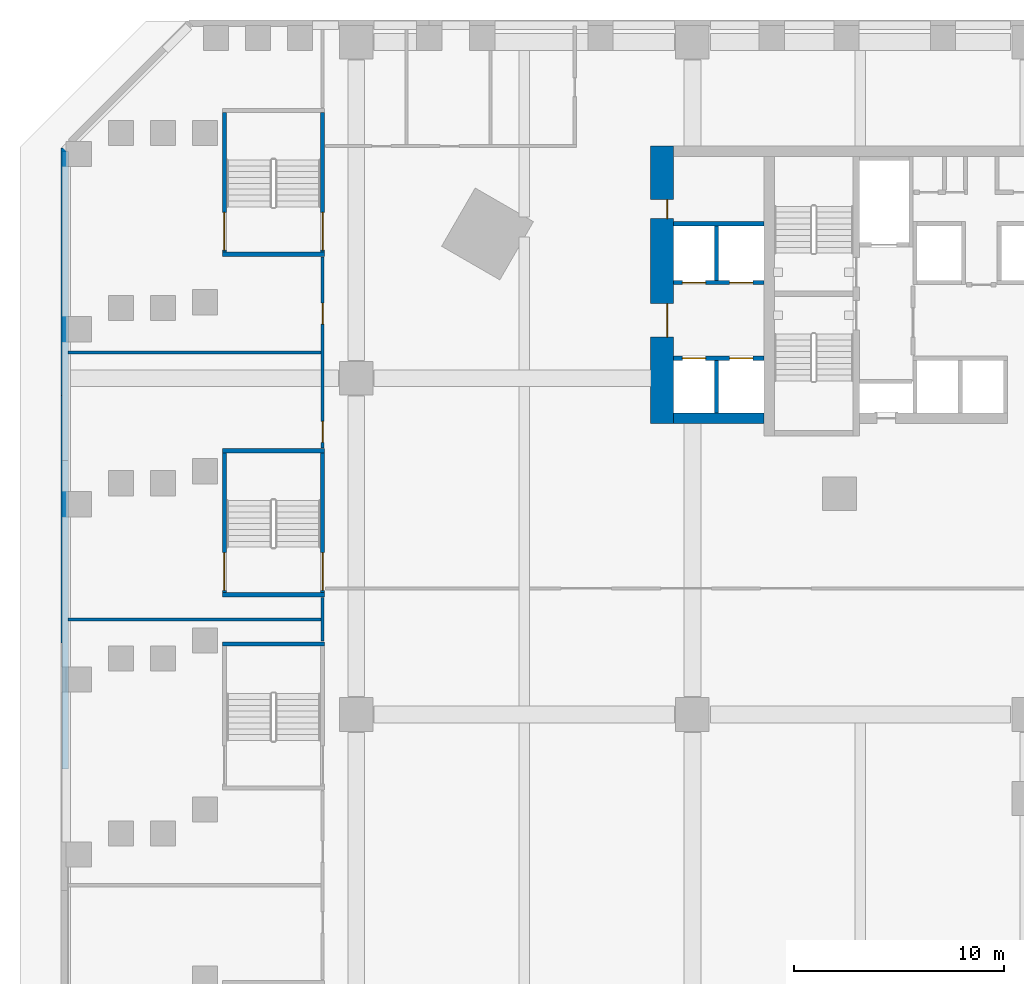
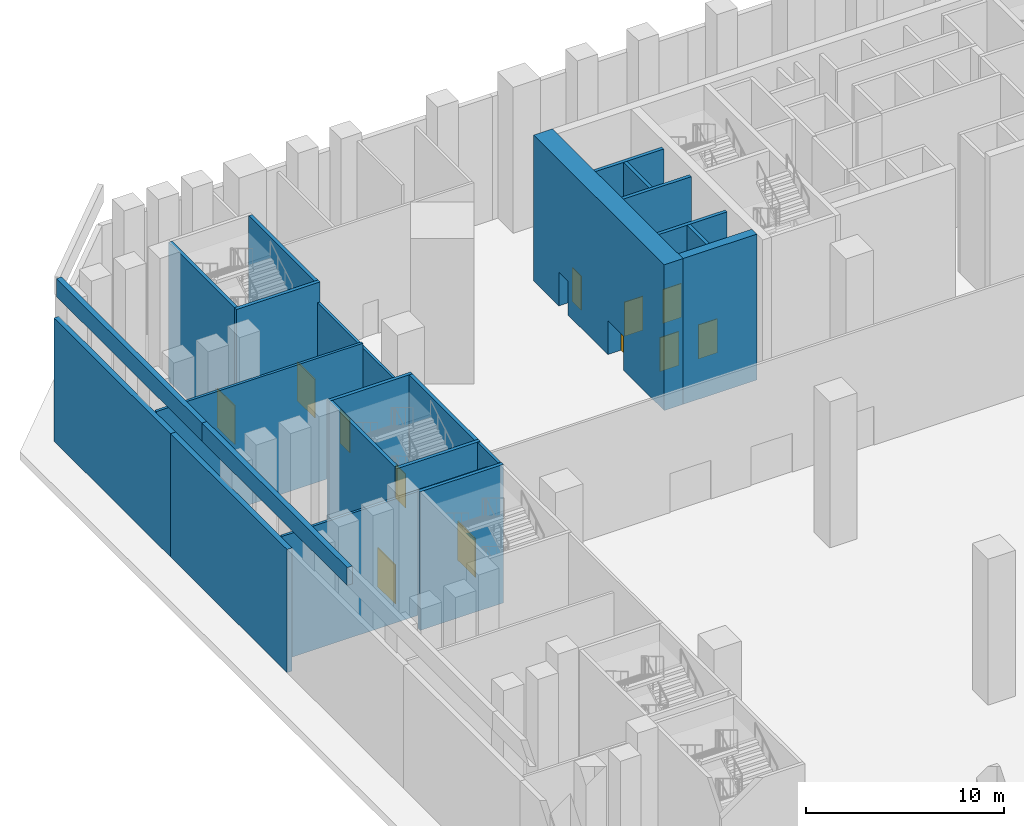
# One storey, part 6 of 25: 23 walls, 12 doors, 12 openings.
"""IFC4 building model written with IfcOpenShell, lengths in metres."""

import ifcopenshell
import ifcopenshell.guid

model = None  # the IFC model being written
_history = None  # IfcOwnerHistory: only IFC2X3 demands one
_inside = {}  # id of a spatial element -> (the spatial element, [elements in it])
_under = {}  # id of a project, library or spatial element -> (it, [spatial elements below it])
_declared = {}  # id of a project -> (the project, [libraries it declares])
_typed = {}  # id of a type object -> (the type object, [elements of that type])
_made_of = {}  # id of a material, layer set ... -> (it, [elements and type objects made of it])


def new_model(schema):
    """Start an empty IFC model of exactly this schema.

    Asked for "IFC4X3", IfcOpenShell would pick the latest addendum, in which some entities
    have other attributes; the version numbers below select the first issue.
    IFC2X3 requires an IfcOwnerHistory on every rooted entity: one is made here for all.
    """
    global model, _history
    if schema == "IFC4X3":
        model = ifcopenshell.file(schema_version=(4, 3, 0, 0))
    else:
        model = ifcopenshell.file(schema=schema)
    _inside.clear()
    _under.clear()
    _declared.clear()
    _typed.clear()
    _made_of.clear()
    _history = None
    if model.schema == "IFC2X3":
        org = make("IfcOrganization", Name="unknown")
        user = make(
            "IfcPersonAndOrganization",
            ThePerson=make("IfcPerson", FamilyName="unknown"),
            TheOrganization=org,
        )
        app = make(
            "IfcApplication",
            ApplicationDeveloper=org,
            Version="unknown",
            ApplicationFullName="unknown",
            ApplicationIdentifier="unknown",
        )
        _history = make(
            "IfcOwnerHistory",
            OwningUser=user,
            OwningApplication=app,
            ChangeAction="ADDED",
            CreationDate=0,
        )
    return model


def make(cls, **values):
    """One entity of the class cls with the attributes given. An attribute that is None is left unset."""
    return model.create_entity(
        cls, **{name: value for name, value in values.items() if value is not None}
    )


def rooted(cls, **values):
    """An entity with a GlobalId (a new one), such as an element, a storey or a relation."""
    return make(cls, GlobalId=ifcopenshell.guid.new(), OwnerHistory=_history, **values)


def si_unit(unit_type, name, prefix=None):
    """IfcSIUnit, for example si_unit("LENGTHUNIT", "METRE", prefix="MILLI")."""
    return make("IfcSIUnit", UnitType=unit_type, Prefix=prefix, Name=name)


def assignment(units):
    """IfcUnitAssignment: the units of a project."""
    return None if units is None else make("IfcUnitAssignment", Units=units)


def point(xyz):
    """IfcCartesianPoint."""
    return None if xyz is None else make("IfcCartesianPoint", Coordinates=xyz)


def direction(xyz):
    """IfcDirection."""
    return None if xyz is None else make("IfcDirection", DirectionRatios=xyz)


def frame(location, z_axis=None, x_axis=None):
    """IfcAxis2Placement3D, a coordinate frame: its origin and axes. An axis left out is left unset."""
    return make(
        "IfcAxis2Placement3D",
        Location=point(location),
        Axis=direction(z_axis),
        RefDirection=direction(x_axis),
    )


def frame_2d(location, x_axis=None):
    """IfcAxis2Placement2D, a coordinate frame in the plane: its origin and x axis."""
    return make(
        "IfcAxis2Placement2D", Location=point(location), RefDirection=direction(x_axis)
    )


def origin():
    """The frame at (0, 0, 0) with its axes left unset."""
    return frame((0.0, 0.0, 0.0))


def place(relative_to, where):
    """IfcLocalPlacement: puts the frame where relative to a parent placement (None: the world)."""
    return make(
        "IfcLocalPlacement", PlacementRelTo=relative_to, RelativePlacement=where
    )


def context(
    kind, dimensions, precision=None, world=None, true_north=None, identifier=None
):
    """IfcGeometricRepresentationContext, for example the 3D "Model" context."""
    return make(
        "IfcGeometricRepresentationContext",
        ContextIdentifier=identifier,
        ContextType=kind,
        CoordinateSpaceDimension=dimensions,
        Precision=precision,
        WorldCoordinateSystem=world,
        TrueNorth=true_north,
    )


def subcontext(parent, identifier, kind, view, scale=None):
    """IfcGeometricRepresentationSubContext, for example "Body" below "Model"."""
    return make(
        "IfcGeometricRepresentationSubContext",
        ContextIdentifier=identifier,
        ContextType=kind,
        ParentContext=parent,
        TargetScale=scale,
        TargetView=view,
    )


def project(units=None, contexts=None):
    """IfcProject with its units and contexts."""
    return rooted(
        "IfcProject",
        Name="project",
        RepresentationContexts=contexts,
        UnitsInContext=assignment(units),
    )


def spatial(cls, under=None, at=None, **own):
    """A site, building, storey or space (cls), placed at a placement, below another one or the project."""
    s = rooted(cls, ObjectPlacement=at, **own)
    if under is not None:
        _under.setdefault(under.id(), (under, []))[1].append(s)
    return s


def profile(cls, at=None, kind="AREA", **sizes):
    """A parametric profile (cls). Its sizes go by their IFC names, for example OverallWidth=200.0."""
    return make(cls, ProfileType=kind, Position=at, **sizes)


def rectangle(**sizes):
    """IfcRectangleProfileDef."""
    return profile("IfcRectangleProfileDef", **sizes)


def extrude(swept, where, along, depth):
    """IfcExtrudedAreaSolid: the profile swept, set in the frame where, extruded along a direction by depth."""
    return make(
        "IfcExtrudedAreaSolid",
        SweptArea=swept,
        Position=where,
        ExtrudedDirection=direction(along),
        Depth=depth,
    )


def shape(context_of_items, identifier, shape_type, items):
    """IfcShapeRepresentation: the items that make up one representation, for example the "Body"."""
    return make(
        "IfcShapeRepresentation",
        ContextOfItems=context_of_items,
        RepresentationIdentifier=identifier,
        RepresentationType=shape_type,
        Items=items,
    )


def material(Name=None, Category=None):
    """IfcMaterial."""
    return make("IfcMaterial", Name=Name, Category=Category)


def layer(
    of_material, thickness, ventilated=None, Name=None, Category=None, Priority=None
):
    """IfcMaterialLayer: one layer of a wall or slab, of a material (None: an air gap)."""
    return make(
        "IfcMaterialLayer",
        Material=of_material,
        LayerThickness=thickness,
        IsVentilated=ventilated,
        Name=Name,
        Category=Category,
        Priority=Priority,
    )


def layer_set(layers, Name=None):
    """IfcMaterialLayerSet."""
    return make("IfcMaterialLayerSet", MaterialLayers=layers, LayerSetName=Name)


def made_of(thing, what):
    """Note that an element or type object is made of a material, layer set ...; save() writes the relation."""
    if what is not None:
        _made_of.setdefault(what.id(), (what, []))[1].append(thing)
    return thing


def type_object(cls, material=None, **own):
    """A type object (cls), such as IfcWallType, which elements share."""
    return made_of(rooted(cls, **own), material)


def element(
    cls,
    number,
    at=None,
    inside=None,
    cuts=None,
    type_object=None,
    material=None,
    context=None,
    identifier="Body",
    shape_type=None,
    held_by="IfcProductDefinitionShape",
    body=None,
    shapes=None,
    **own,
):
    """One element of the class cls, such as IfcWall. Its Tag is "e" and its number.

    at: its placement. inside: the storey or other place that contains it. cuts: it is an
    opening in that element (IfcRelVoidsElement). A single representation is given by context,
    identifier, shape_type and body (its items); several are given by shapes. held_by: the class
    of the entity that holds the representations. save() writes the other relations.
    """
    e = rooted(cls, Tag="e%d" % number, ObjectPlacement=at, **own)
    if body is not None:
        shapes = [shape(context, identifier, shape_type, body)]
    if shapes is not None:
        e.Representation = make(held_by, Representations=shapes)
    if inside is not None:
        _inside.setdefault(inside.id(), (inside, []))[1].append(e)
    if cuts is not None:
        rooted(
            "IfcRelVoidsElement", RelatingBuildingElement=cuts, RelatedOpeningElement=e
        )
    if type_object is not None:
        _typed.setdefault(type_object.id(), (type_object, []))[1].append(e)
    return made_of(e, material)


def fill(opening, filler):
    """IfcRelFillsElement: the door or window that sits in an opening."""
    return rooted(
        "IfcRelFillsElement",
        RelatingOpeningElement=opening,
        RelatedBuildingElement=filler,
    )


def aggregate(whole, parts):
    """IfcRelAggregates: a whole, such as a stair, and the parts it consists of."""
    return rooted("IfcRelAggregates", RelatingObject=whole, RelatedObjects=parts)


def save(model, path):
    """Write the relations noted so far, then the file.

    IfcRelAggregates (storeys below a building ...), IfcRelContainedInSpatialStructure (elements
    in a storey), IfcRelDefinesByType, IfcRelAssociatesMaterial and IfcRelDeclares: one each for
    every whole, place, type object, material and project.
    """
    for whole, parts in _under.values():
        aggregate(whole, parts)
    for where, things in _inside.values():
        rooted(
            "IfcRelContainedInSpatialStructure",
            RelatedElements=things,
            RelatingStructure=where,
        )
    for kind, things in _typed.values():
        rooted("IfcRelDefinesByType", RelatedObjects=things, RelatingType=kind)
    for what, things in _made_of.values():
        rooted("IfcRelAssociatesMaterial", RelatedObjects=things, RelatingMaterial=what)
    for by, libraries in _declared.values():
        rooted("IfcRelDeclares", RelatingContext=by, RelatedDefinitions=libraries)
    model.write(path)


model = new_model("IFC4")

# Units and contexts
model_context = context("Model", 3, precision=1e-05, world=origin(), true_north=direction((0.0, 1.0)))
body_context = subcontext(model_context, "Body", "Model", "MODEL_VIEW")
ifc_project = project(units=[si_unit("LENGTHUNIT", "METRE"), si_unit("AREAUNIT", "SQUARE_METRE"), si_unit("VOLUMEUNIT", "CUBIC_METRE"), si_unit("PLANEANGLEUNIT", "RADIAN"), si_unit("MASSUNIT", "GRAM", prefix="KILO")], contexts=[model_context])

# Site, building, storey
site_placement = place(None, origin())
site = spatial("IfcSite", under=ifc_project, at=site_placement, CompositionType="ELEMENT")
building_placement = place(site_placement, origin())
building = spatial("IfcBuilding", under=site, at=building_placement, Name="Calabash Gate Tower", CompositionType="ELEMENT")
storey_placement = place(building_placement, frame((0.0, 0.0, 20.0)))
storey = spatial("IfcBuildingStorey", under=building, at=storey_placement, Name="L02", CompositionType="ELEMENT", Elevation=20.0)

# Wall, openings, doors
ifc_material_1 = material(Name="Concrete C80/95", Category="concrete")
ifc_layer_1 = layer(ifc_material_1, 1.10009765625)
ifc_layer_set_1 = layer_set([ifc_layer_1], Name="Core wall 1100 Concrete C80/95")
wall_type_1 = type_object("IfcWallType", Name="Core wall 1100 Concrete C80/95", PredefinedType="SHEAR", material=ifc_layer_set_1)
wall_1_placement = place(storey_placement, frame((-17.449951171875, 5.8525390625, 0.0), z_axis=(0.0, 0.0, 1.0), x_axis=(0.0, 1.0, 0.0)))
wall_1 = element("IfcWall", 1, at=wall_1_placement, inside=storey, type_object=wall_type_1, Name="Core wall Z0-ENDW L02", PredefinedType="SHEAR", context=body_context, shape_type="SweptSolid", body=[
    extrude(rectangle(XDim=13.199951171875, YDim=1.10009765625, at=frame_2d((6.60009765625, 0.0))), origin(), (0.0, 0.0, 1.0), 9.0),
])
opening_1_placement = place(wall_1_placement, frame((4.10009765625, 0.0, 0.0)))
opening_1 = element("IfcOpeningElement", 2, at=opening_1_placement, cuts=wall_1, Name="Opening L02-015", PredefinedType="OPENING", context=body_context, shape_type="SweptSolid", body=[
    extrude(rectangle(XDim=1.60009765625, YDim=2.10009765625, at=frame_2d((0.800048828125, 1.050048828125))), frame((0.0, 0.56005859375, 0.0), z_axis=(0.0, -1.0, 0.0), x_axis=(1.0, 0.0, 0.0)), (0.0, 0.0, 1.0), 1.1201171875),
])
opening_2_placement = place(wall_1_placement, frame((9.75, 0.0, 0.0)))
opening_2 = element("IfcOpeningElement", 3, at=opening_2_placement, cuts=wall_1, Name="Opening L02-016", PredefinedType="OPENING", context=body_context, shape_type="SweptSolid", body=[
    extrude(rectangle(XDim=0.89990234375, YDim=2.10009765625, at=frame_2d((0.449951171875, 1.050048828125))), frame((0.0, 0.56005859375, 0.0), z_axis=(0.0, -1.0, 0.0), x_axis=(1.0, 0.0, 0.0)), (0.0, 0.0, 1.0), 1.1201171875),
])
ifc_material_2 = material(Name="Steel fire door set with fire-resisting glazing", Category="steel")
door_type_1 = type_object("IfcDoorType", Name="Double fire door D08 1600x2100 FD60", OperationType="DOUBLE_DOOR_SINGLE_SWING", PredefinedType="DOOR", material=ifc_material_2)
door_1_placement = place(opening_1_placement, origin())
door_1 = element("IfcDoor", 4, at=door_1_placement, inside=storey, type_object=door_type_1, Name="Low-rise Lift Lobby W door", OperationType="DOUBLE_DOOR_SINGLE_SWING", OverallHeight=2.10009765625, OverallWidth=1.60009765625, PredefinedType="DOOR", context=body_context, shape_type="SweptSolid", body=[
    extrude(rectangle(XDim=1.60009765625, YDim=2.10009765625, at=frame_2d((0.800048828125, 1.050048828125))), frame((0.0, -0.22509765625, 0.0), z_axis=(0.0, -1.0, 0.0), x_axis=(1.0, 0.0, 0.0)), (0.0, 0.0, 1.0), 0.050048828125),
])
fill(opening_1, door_1)
ifc_material_3 = material(Name="Steel fire door set with fire-resisting glazing", Category="steel")
door_type_2 = type_object("IfcDoorType", Name="Fire door D06 900x2100 FD60", OperationType="NOTDEFINED", PredefinedType="DOOR", material=ifc_material_3)
door_2_placement = place(opening_2_placement, origin())
door_2 = element("IfcDoor", 5, at=door_2_placement, inside=storey, type_object=door_type_2, Name="Staff WC door", OperationType="SINGLE_SWING_RIGHT", OverallHeight=2.10009765625, OverallWidth=0.89990234375, PredefinedType="DOOR", context=body_context, shape_type="SweptSolid", body=[
    extrude(rectangle(XDim=0.89990234375, YDim=2.10009765625, at=frame_2d((0.449951171875, 1.050048828125))), frame((0.0, -0.22509765625, 0.0), z_axis=(0.0, -1.0, 0.0), x_axis=(1.0, 0.0, 0.0)), (0.0, 0.0, 1.0), 0.050048828125),
])
fill(opening_2, door_2)

# Walls
ifc_material_4 = material(Name="Concrete C80/95", Category="concrete")
ifc_layer_2 = layer(ifc_material_4, 0.5)
ifc_layer_set_2 = layer_set([ifc_layer_2], Name="Core wall 500 Concrete C80/95")
wall_type_2 = type_object("IfcWallType", Name="Core wall 500 Concrete C80/95", PredefinedType="SHEAR", material=ifc_layer_set_2)
wall_2_placement = place(storey_placement, frame((-12.60009765625, 6.1025390625, 0.0), z_axis=(0.0, 0.0, 1.0), x_axis=(-1.0, 0.0, 0.0)))
element("IfcWall", 6, at=wall_2_placement, inside=storey, type_object=wall_type_2, Name="Core wall Z0-SW L02", PredefinedType="SHEAR", context=body_context, shape_type="SweptSolid", body=[
    extrude(rectangle(XDim=4.2998046875, YDim=0.5, at=frame_2d((2.14990234375, 0.0))), origin(), (0.0, 0.0, 1.0), 9.0),
])
ifc_material_5 = material(Name="Gypsum board on steel studs, mineral wool", Category="steel")
ifc_layer_3 = layer(ifc_material_5, 0.14990234375)
ifc_layer_set_3 = layer_set([ifc_layer_3], Name="Partition 150 gypsum board")
wall_type_3 = type_object("IfcWallType", Name="Partition 150 gypsum board", PredefinedType="PARTITIONING", material=ifc_layer_set_3)
wall_3_placement = place(storey_placement, frame((-33.60009765625, -4.510009765625, 0.0), z_axis=(0.0, 0.0, 1.0), x_axis=(0.0, 1.0, 0.0)))
element("IfcWall", 7, at=wall_3_placement, inside=storey, type_object=wall_type_3, Name="Partition", PredefinedType="PARTITIONING", context=body_context, shape_type="SweptSolid", body=[
    extrude(rectangle(XDim=2.070068359375, YDim=0.14990234375, at=frame_2d((1.03515625, 0.0))), origin(), (0.0, 0.0, 1.0), 8.550048828125),
])
wall_4_placement = place(storey_placement, frame((-45.719970703125, -3.47509765625, 0.0), z_axis=(0.0, 0.0, 1.0), x_axis=(1.0, 0.0, 0.0)))
element("IfcWall", 8, at=wall_4_placement, inside=storey, type_object=wall_type_3, Name="Partition", PredefinedType="PARTITIONING", context=body_context, shape_type="SweptSolid", body=[
    extrude(rectangle(XDim=12.044921875, YDim=0.14990234375, at=frame_2d((6.0224609375, 0.0))), origin(), (0.0, 0.0, 1.0), 7.64990234375),
])

# Wall, openings, doors
wall_5_placement = place(storey_placement, frame((-33.60009765625, 4.68994140625, 0.0), z_axis=(0.0, 0.0, 1.0), x_axis=(0.0, 1.0, 0.0)))
wall_5 = element("IfcWall", 9, at=wall_5_placement, inside=storey, type_object=wall_type_3, Name="Partition", PredefinedType="PARTITIONING", context=body_context, shape_type="SweptSolid", body=[
    extrude(rectangle(XDim=9.070068359375, YDim=0.14990234375, at=frame_2d((4.53515625, 0.0))), origin(), (0.0, 0.0, 1.0), 7.35009765625),
])
opening_3_placement = place(wall_5_placement, frame((0.260986328125, 0.0, 0.0)))
opening_3 = element("IfcOpeningElement", 10, at=opening_3_placement, cuts=wall_5, Name="Opening L02-054", PredefinedType="OPENING", context=body_context, shape_type="SweptSolid", body=[
    extrude(rectangle(XDim=1.0, YDim=2.10009765625, at=frame_2d((0.5, 1.050048828125))), frame((0.0, 0.0849609375, 0.0), z_axis=(0.0, -1.0, 0.0), x_axis=(1.0, 0.0, 0.0)), (0.0, 0.0, 1.0), 0.169921875),
])
opening_4_placement = place(wall_5_placement, frame((5.885009765625, 0.0, 0.0)))
opening_4 = element("IfcOpeningElement", 11, at=opening_4_placement, cuts=wall_5, Name="Opening L02-055", PredefinedType="OPENING", context=body_context, shape_type="SweptSolid", body=[
    extrude(rectangle(XDim=1.0, YDim=2.10009765625, at=frame_2d((0.5, 1.050048828125))), frame((0.0, 0.0849609375, 0.0), z_axis=(0.0, -1.0, 0.0), x_axis=(1.0, 0.0, 0.0)), (0.0, 0.0, 1.0), 0.169921875),
])
ifc_material_6 = material(Name="Steel fire door set with fire-resisting glazing", Category="steel")
door_type_3 = type_object("IfcDoorType", Name="Fire door D11 1000x2100 FD60", OperationType="NOTDEFINED", PredefinedType="DOOR", material=ifc_material_6)
door_3_placement = place(opening_3_placement, origin())
door_3 = element("IfcDoor", 12, at=door_3_placement, inside=storey, type_object=door_type_3, Name="Bridal Suite door", OperationType="SINGLE_SWING_LEFT", OverallHeight=2.10009765625, OverallWidth=1.0, PredefinedType="DOOR", context=body_context, shape_type="SweptSolid", body=[
    extrude(rectangle(XDim=1.0, YDim=2.10009765625, at=frame_2d((0.5, 1.050048828125))), frame((0.0, 0.02490234375, 0.0), z_axis=(0.0, -1.0, 0.0), x_axis=(1.0, 0.0, 0.0)), (0.0, 0.0, 1.0), 0.050048828125),
])
fill(opening_3, door_3)
door_4_placement = place(opening_4_placement, origin())
door_4 = element("IfcDoor", 13, at=door_4_placement, inside=storey, type_object=door_type_3, Name="Chair Store door", OperationType="SINGLE_SWING_LEFT", OverallHeight=2.10009765625, OverallWidth=1.0, PredefinedType="DOOR", context=body_context, shape_type="SweptSolid", body=[
    extrude(rectangle(XDim=1.0, YDim=2.10009765625, at=frame_2d((0.5, 1.050048828125))), frame((0.0, 0.02490234375, 0.0), z_axis=(0.0, -1.0, 0.0), x_axis=(1.0, 0.0, 0.0)), (0.0, 0.0, 1.0), 0.050048828125),
])
fill(opening_4, door_4)

# Walls
wall_6_placement = place(storey_placement, frame((-45.719970703125, 9.22509765625, 0.0), z_axis=(0.0, 0.0, 1.0), x_axis=(1.0, 0.0, 0.0)))
element("IfcWall", 14, at=wall_6_placement, inside=storey, type_object=wall_type_3, Name="Partition", PredefinedType="PARTITIONING", context=body_context, shape_type="SweptSolid", body=[
    extrude(rectangle(XDim=12.044921875, YDim=0.14990234375, at=frame_2d((6.0224609375, 0.0))), origin(), (0.0, 0.0, 1.0), 7.64990234375),
])
ifc_material_7 = material(Name="Terracotta brick masonry, exposed face", Category="masonry")
ifc_layer_4 = layer(ifc_material_7, 0.300048828125)
ifc_layer_set_4 = layer_set([ifc_layer_4], Name="Podium brick wall 300")
wall_type_4 = type_object("IfcWallType", Name="Podium brick wall 300", PredefinedType="SOLIDWALL", material=ifc_layer_set_4)
for number, where, z_axis, x_axis, name in (
    (15, (-45.89990234375, 18.949951171875, 0.0), (0.0, 0.0, 1.0), (0.0, -1.0, 0.0), "Podium brick wall L02 6.0.0"),
    (16, (-45.89990234375, 7.169921875, 0.0), (0.0, 0.0, 1.0), (0.0, -1.0, 0.0), "Podium brick wall L02 6.0.1"),
):
    element("IfcWall", number, at=place(storey_placement, frame(where, z_axis=z_axis, x_axis=x_axis)), inside=storey, type_object=wall_type_4, Name=name, PredefinedType="SOLIDWALL", context=body_context, shape_type="SweptSolid", body=[
        extrude(rectangle(XDim=11.780029296875, YDim=0.300048828125, at=frame_2d((5.89013671875, 0.0))), origin(), (0.0, 0.0, 1.0), 7.60009765625),
    ])
ifc_material_8 = material(Name="Terracotta brick masonry, exposed face", Category="masonry")
ifc_layer_5 = layer(ifc_material_8, 0.300048828125)
ifc_layer_set_5 = layer_set([ifc_layer_5], Name="Podium parapet wall 300")
wall_type_5 = type_object("IfcWallType", Name="Podium parapet wall 300", PredefinedType="PARAPET", material=ifc_layer_set_5)
for number, where, z_axis, x_axis, name in (
    (17, (-45.85009765625, 18.7900390625, 9.0), (0.0, 0.0, 1.0), (0.0, -1.0, 0.0), "Podium parapet L02 6.0.0"),
    (18, (-45.85009765625, 4.092529296875, 9.0), (0.0, 0.0, 1.0), (0.0, -1.0, 0.0), "Podium parapet L02 6.0.1"),
):
    element("IfcWall", number, at=place(storey_placement, frame(where, z_axis=z_axis, x_axis=x_axis)), inside=storey, type_object=wall_type_5, Name=name, PredefinedType="PARAPET", context=body_context, shape_type="SweptSolid", body=[
        extrude(rectangle(XDim=14.697509765625, YDim=0.300048828125, at=frame_2d((7.3486328125, 0.0))), origin(), (0.0, 0.0, 1.0), 1.10009765625),
    ])
ifc_material_9 = material(Name="Concrete C40/50", Category="concrete")
ifc_layer_6 = layer(ifc_material_9, 0.199951171875)
ifc_layer_set_6 = layer_set([ifc_layer_6], Name="Shaft wall 200 Concrete C40/50")
wall_type_6 = type_object("IfcWallType", Name="Shaft wall 200 Concrete C40/50", PredefinedType="SOLIDWALL", material=ifc_layer_set_6)
wall_7_placement = place(storey_placement, frame((-14.85009765625, 6.3525390625, 0.0), z_axis=(0.0, 0.0, 1.0), x_axis=(0.0, 1.0, 0.0)))
element("IfcWall", 19, at=wall_7_placement, inside=storey, type_object=wall_type_6, Name="Shaft wall", PredefinedType="SOLIDWALL", context=body_context, shape_type="SweptSolid", body=[
    extrude(rectangle(XDim=2.5, YDim=0.199951171875, at=frame_2d((1.25, 0.0))), origin(), (0.0, 0.0, 1.0), 8.550048828125),
])

# Wall, openings, doors
wall_8_placement = place(storey_placement, frame((-16.89990234375, 8.95263671875, 0.0), z_axis=(0.0, 0.0, 1.0), x_axis=(1.0, 0.0, 0.0)))
wall_8 = element("IfcWall", 20, at=wall_8_placement, inside=storey, type_object=wall_type_6, Name="Shaft wall", PredefinedType="SOLIDWALL", context=body_context, shape_type="SweptSolid", body=[
    extrude(rectangle(XDim=4.2998046875, YDim=0.199951171875, at=frame_2d((2.14990234375, 0.0))), origin(), (0.0, 0.0, 1.0), 8.550048828125),
])
opening_5_placement = place(wall_8_placement, frame((2.675048828125, 0.0, 0.0)))
opening_5 = element("IfcOpeningElement", 21, at=opening_5_placement, cuts=wall_8, Name="Opening LD-LR1", PredefinedType="OPENING", context=body_context, shape_type="SweptSolid", body=[
    extrude(rectangle(XDim=1.10009765625, YDim=2.10009765625, at=frame_2d((0.550048828125, 1.050048828125))), frame((0.0, 0.10986328125, 0.0), z_axis=(0.0, -1.0, 0.0), x_axis=(1.0, 0.0, 0.0)), (0.0, 0.0, 1.0), 0.219970703125),
])
opening_6_placement = place(wall_8_placement, frame((0.425048828125, 0.0, 0.0)))
opening_6 = element("IfcOpeningElement", 22, at=opening_6_placement, cuts=wall_8, Name="Opening LD-LR2", PredefinedType="OPENING", context=body_context, shape_type="SweptSolid", body=[
    extrude(rectangle(XDim=1.10009765625, YDim=2.10009765625, at=frame_2d((0.550048828125, 1.050048828125))), frame((0.0, 0.10986328125, 0.0), z_axis=(0.0, -1.0, 0.0), x_axis=(1.0, 0.0, 0.0)), (0.0, 0.0, 1.0), 0.219970703125),
])
ifc_material_10 = material(Name="Stainless steel sliding door leaves", Category="steel")
door_type_4 = type_object("IfcDoorType", Name="Lift landing door LS1 1100x2100 FD90", OperationType="DOUBLE_DOOR_SLIDING", PredefinedType="DOOR", material=ifc_material_10)
door_5_placement = place(opening_5_placement, origin())
door_5 = element("IfcDoor", 23, at=door_5_placement, inside=storey, type_object=door_type_4, Name="Lift landing door LR1", OperationType="DOUBLE_DOOR_SLIDING", OverallHeight=2.10009765625, OverallWidth=1.10009765625, PredefinedType="DOOR", context=body_context, shape_type="SweptSolid", body=[
    extrude(rectangle(XDim=1.10009765625, YDim=2.10009765625, at=frame_2d((0.550048828125, 1.050048828125))), frame((0.0, 0.02490234375, 0.0), z_axis=(0.0, -1.0, 0.0), x_axis=(1.0, 0.0, 0.0)), (0.0, 0.0, 1.0), 0.050048828125),
])
fill(opening_5, door_5)
door_6_placement = place(opening_6_placement, origin())
door_6 = element("IfcDoor", 24, at=door_6_placement, inside=storey, type_object=door_type_4, Name="Lift landing door LR2", OperationType="DOUBLE_DOOR_SLIDING", OverallHeight=2.10009765625, OverallWidth=1.10009765625, PredefinedType="DOOR", context=body_context, shape_type="SweptSolid", body=[
    extrude(rectangle(XDim=1.10009765625, YDim=2.10009765625, at=frame_2d((0.550048828125, 1.050048828125))), frame((0.0, 0.02490234375, 0.0), z_axis=(0.0, -1.0, 0.0), x_axis=(1.0, 0.0, 0.0)), (0.0, 0.0, 1.0), 0.050048828125),
])
fill(opening_6, door_6)

wall_9_placement = place(storey_placement, frame((-16.89990234375, 12.552490234375, 0.0), z_axis=(0.0, 0.0, 1.0), x_axis=(1.0, 0.0, 0.0)))
wall_9 = element("IfcWall", 25, at=wall_9_placement, inside=storey, type_object=wall_type_6, Name="Shaft wall", PredefinedType="SOLIDWALL", context=body_context, shape_type="SweptSolid", body=[
    extrude(rectangle(XDim=4.2998046875, YDim=0.199951171875, at=frame_2d((2.14990234375, 0.0))), origin(), (0.0, 0.0, 1.0), 8.550048828125),
])
opening_7_placement = place(wall_9_placement, frame((2.675048828125, 0.0, 0.0)))
opening_7 = element("IfcOpeningElement", 26, at=opening_7_placement, cuts=wall_9, Name="Opening LD-LR3", PredefinedType="OPENING", context=body_context, shape_type="SweptSolid", body=[
    extrude(rectangle(XDim=1.10009765625, YDim=2.10009765625, at=frame_2d((0.550048828125, 1.050048828125))), frame((0.0, 0.10986328125, 0.0), z_axis=(0.0, -1.0, 0.0), x_axis=(1.0, 0.0, 0.0)), (0.0, 0.0, 1.0), 0.219970703125),
])
opening_8_placement = place(wall_9_placement, frame((0.425048828125, 0.0, 0.0)))
opening_8 = element("IfcOpeningElement", 27, at=opening_8_placement, cuts=wall_9, Name="Opening LD-LR4", PredefinedType="OPENING", context=body_context, shape_type="SweptSolid", body=[
    extrude(rectangle(XDim=1.10009765625, YDim=2.10009765625, at=frame_2d((0.550048828125, 1.050048828125))), frame((0.0, 0.10986328125, 0.0), z_axis=(0.0, -1.0, 0.0), x_axis=(1.0, 0.0, 0.0)), (0.0, 0.0, 1.0), 0.219970703125),
])
door_7_placement = place(opening_7_placement, origin())
door_7 = element("IfcDoor", 28, at=door_7_placement, inside=storey, type_object=door_type_4, Name="Lift landing door LR3", OperationType="DOUBLE_DOOR_SLIDING", OverallHeight=2.10009765625, OverallWidth=1.10009765625, PredefinedType="DOOR", context=body_context, shape_type="SweptSolid", body=[
    extrude(rectangle(XDim=1.10009765625, YDim=2.10009765625, at=frame_2d((0.550048828125, 1.050048828125))), frame((0.0, 0.02490234375, 0.0), z_axis=(0.0, -1.0, 0.0), x_axis=(1.0, 0.0, 0.0)), (0.0, 0.0, 1.0), 0.050048828125),
])
fill(opening_7, door_7)
door_8_placement = place(opening_8_placement, origin())
door_8 = element("IfcDoor", 29, at=door_8_placement, inside=storey, type_object=door_type_4, Name="Lift landing door LR4", OperationType="DOUBLE_DOOR_SLIDING", OverallHeight=2.10009765625, OverallWidth=1.10009765625, PredefinedType="DOOR", context=body_context, shape_type="SweptSolid", body=[
    extrude(rectangle(XDim=1.10009765625, YDim=2.10009765625, at=frame_2d((0.550048828125, 1.050048828125))), frame((0.0, 0.02490234375, 0.0), z_axis=(0.0, -1.0, 0.0), x_axis=(1.0, 0.0, 0.0)), (0.0, 0.0, 1.0), 0.050048828125),
])
fill(opening_8, door_8)

# Walls
wall_10_placement = place(storey_placement, frame((-14.85009765625, 12.652587890625, 0.0), z_axis=(0.0, 0.0, 1.0), x_axis=(0.0, 1.0, 0.0)))
element("IfcWall", 30, at=wall_10_placement, inside=storey, type_object=wall_type_6, Name="Shaft wall", PredefinedType="SOLIDWALL", context=body_context, shape_type="SweptSolid", body=[
    extrude(rectangle(XDim=2.60009765625, YDim=0.199951171875, at=frame_2d((1.300048828125, 0.0))), origin(), (0.0, 0.0, 1.0), 8.550048828125),
])
wall_11_placement = place(storey_placement, frame((-16.89990234375, 15.3525390625, 0.0), z_axis=(0.0, 0.0, 1.0), x_axis=(1.0, 0.0, 0.0)))
element("IfcWall", 31, at=wall_11_placement, inside=storey, type_object=wall_type_6, Name="Shaft wall", PredefinedType="SOLIDWALL", context=body_context, shape_type="SweptSolid", body=[
    extrude(rectangle(XDim=4.2998046875, YDim=0.199951171875, at=frame_2d((2.14990234375, 0.0))), origin(), (0.0, 0.0, 1.0), 8.550048828125),
])
ifc_material_11 = material(Name="Concrete C40/50", Category="concrete")
ifc_layer_7 = layer(ifc_material_11, 0.199951171875)
ifc_layer_set_7 = layer_set([ifc_layer_7], Name="Stair wall 200 Concrete C40/50")
wall_type_7 = type_object("IfcWallType", Name="Stair wall 200 Concrete C40/50", PredefinedType="SOLIDWALL", material=ifc_layer_set_7)
for number, where, z_axis, x_axis, name in (
    (32, (-38.3701171875, -4.64990234375, 0.0), (0.0, 0.0, 1.0), (1.0, 0.0, 0.0), "Stair wall"),
    (33, (-38.3701171875, -2.300048828125, 0.0), (0.0, 0.0, 1.0), (1.0, 0.0, 0.0), "Stair wall"),
    (34, (-38.3701171875, 4.550048828125, 0.0), (0.0, 0.0, 1.0), (1.0, 0.0, 0.0), "Stair wall"),
):
    element("IfcWall", number, at=place(storey_placement, frame(where, z_axis=z_axis, x_axis=x_axis)), inside=storey, type_object=wall_type_7, Name=name, PredefinedType="SOLIDWALL", context=body_context, shape_type="SweptSolid", body=[
        extrude(rectangle(XDim=4.8701171875, YDim=0.199951171875, at=frame_2d((2.43505859375, 0.0))), origin(), (0.0, 0.0, 1.0), 8.550048828125),
    ])

# Wall, opening, door
wall_12_placement = place(storey_placement, frame((-38.27001953125, -2.199951171875, 0.0), z_axis=(0.0, 0.0, 1.0), x_axis=(0.0, 1.0, 0.0)))
wall_12 = element("IfcWall", 35, at=wall_12_placement, inside=storey, type_object=wall_type_7, Name="Stair wall", PredefinedType="SOLIDWALL", context=body_context, shape_type="SweptSolid", body=[
    extrude(rectangle(XDim=6.64990234375, YDim=0.199951171875, at=frame_2d((3.324951171875, 0.0))), origin(), (0.0, 0.0, 1.0), 8.550048828125),
])
opening_9_placement = place(wall_12_placement, frame((0.10009765625, 0.0, 0.0)))
opening_9 = element("IfcOpeningElement", 36, at=opening_9_placement, cuts=wall_12, Name="Opening L02-026", PredefinedType="OPENING", context=body_context, shape_type="SweptSolid", body=[
    extrude(rectangle(XDim=1.800048828125, YDim=2.39990234375, at=frame_2d((0.89990234375, 1.199951171875))), frame((0.0, 0.10986328125, 0.0), z_axis=(0.0, -1.0, 0.0), x_axis=(1.0, 0.0, 0.0)), (0.0, 0.0, 1.0), 0.219970703125),
])
ifc_material_12 = material(Name="Steel fire door set with fire-resisting glazing", Category="steel")
door_type_5 = type_object("IfcDoorType", Name="Double fire door D16 1800x2400 FD90", OperationType="DOUBLE_DOOR_SINGLE_SWING", PredefinedType="DOOR", material=ifc_material_12)
door_9_placement = place(opening_9_placement, origin())
door_9 = element("IfcDoor", 37, at=door_9_placement, inside=storey, type_object=door_type_5, Name="Exit stair door PS4", OperationType="DOUBLE_DOOR_SINGLE_SWING", OverallHeight=2.39990234375, OverallWidth=1.800048828125, PredefinedType="DOOR", context=body_context, shape_type="SweptSolid", body=[
    extrude(rectangle(XDim=1.800048828125, YDim=2.39990234375, at=frame_2d((0.89990234375, 1.199951171875))), frame((0.0, 0.02490234375, 0.0), z_axis=(0.0, -1.0, 0.0), x_axis=(1.0, 0.0, 0.0)), (0.0, 0.0, 1.0), 0.050048828125),
])
fill(opening_9, door_9)

wall_13_placement = place(storey_placement, frame((-33.60009765625, -2.199951171875, 0.0), z_axis=(0.0, 0.0, 1.0), x_axis=(0.0, 1.0, 0.0)))
wall_13 = element("IfcWall", 38, at=wall_13_placement, inside=storey, type_object=wall_type_7, Name="Stair wall", PredefinedType="SOLIDWALL", context=body_context, shape_type="SweptSolid", body=[
    extrude(rectangle(XDim=6.64990234375, YDim=0.199951171875, at=frame_2d((3.324951171875, 0.0))), origin(), (0.0, 0.0, 1.0), 8.550048828125),
])
opening_10_placement = place(wall_13_placement, frame((0.10009765625, 0.0, 0.0)))
opening_10 = element("IfcOpeningElement", 39, at=opening_10_placement, cuts=wall_13, Name="Opening L02-025", PredefinedType="OPENING", context=body_context, shape_type="SweptSolid", body=[
    extrude(rectangle(XDim=1.800048828125, YDim=2.39990234375, at=frame_2d((0.89990234375, 1.199951171875))), frame((0.0, 0.10986328125, 0.0), z_axis=(0.0, -1.0, 0.0), x_axis=(1.0, 0.0, 0.0)), (0.0, 0.0, 1.0), 0.219970703125),
])
door_10_placement = place(opening_10_placement, origin())
door_10 = element("IfcDoor", 40, at=door_10_placement, inside=storey, type_object=door_type_5, Name="Exit stair door PS4", OperationType="DOUBLE_DOOR_SINGLE_SWING", OverallHeight=2.39990234375, OverallWidth=1.800048828125, PredefinedType="DOOR", context=body_context, shape_type="SweptSolid", body=[
    extrude(rectangle(XDim=1.800048828125, YDim=2.39990234375, at=frame_2d((0.89990234375, 1.199951171875))), frame((0.0, 0.02490234375, 0.0), z_axis=(0.0, -1.0, 0.0), x_axis=(1.0, 0.0, 0.0)), (0.0, 0.0, 1.0), 0.050048828125),
])
fill(opening_10, door_10)

# Wall
wall_14_placement = place(storey_placement, frame((-38.3701171875, 13.89990234375, 0.0), z_axis=(0.0, 0.0, 1.0), x_axis=(1.0, 0.0, 0.0)))
element("IfcWall", 41, at=wall_14_placement, inside=storey, type_object=wall_type_7, Name="Stair wall", PredefinedType="SOLIDWALL", context=body_context, shape_type="SweptSolid", body=[
    extrude(rectangle(XDim=4.8701171875, YDim=0.199951171875, at=frame_2d((2.43505859375, 0.0))), origin(), (0.0, 0.0, 1.0), 8.550048828125),
])

# Wall, opening, door
wall_15_placement = place(storey_placement, frame((-38.27001953125, 14.0, 0.0), z_axis=(0.0, 0.0, 1.0), x_axis=(0.0, 1.0, 0.0)))
wall_15 = element("IfcWall", 42, at=wall_15_placement, inside=storey, type_object=wall_type_7, Name="Stair wall", PredefinedType="SOLIDWALL", context=body_context, shape_type="SweptSolid", body=[
    extrude(rectangle(XDim=6.64990234375, YDim=0.199951171875, at=frame_2d((3.324951171875, 0.0))), origin(), (0.0, 0.0, 1.0), 8.550048828125),
])
opening_11_placement = place(wall_15_placement, frame((0.10009765625, 0.0, 0.0)))
opening_11 = element("IfcOpeningElement", 43, at=opening_11_placement, cuts=wall_15, Name="Opening L02-028", PredefinedType="OPENING", context=body_context, shape_type="SweptSolid", body=[
    extrude(rectangle(XDim=1.800048828125, YDim=2.39990234375, at=frame_2d((0.89990234375, 1.199951171875))), frame((0.0, 0.10986328125, 0.0), z_axis=(0.0, -1.0, 0.0), x_axis=(1.0, 0.0, 0.0)), (0.0, 0.0, 1.0), 0.219970703125),
])
door_11_placement = place(opening_11_placement, origin())
door_11 = element("IfcDoor", 44, at=door_11_placement, inside=storey, type_object=door_type_5, Name="Exit stair door PS5", OperationType="DOUBLE_DOOR_SINGLE_SWING", OverallHeight=2.39990234375, OverallWidth=1.800048828125, PredefinedType="DOOR", context=body_context, shape_type="SweptSolid", body=[
    extrude(rectangle(XDim=1.800048828125, YDim=2.39990234375, at=frame_2d((0.89990234375, 1.199951171875))), frame((0.0, 0.02490234375, 0.0), z_axis=(0.0, -1.0, 0.0), x_axis=(1.0, 0.0, 0.0)), (0.0, 0.0, 1.0), 0.050048828125),
])
fill(opening_11, door_11)

wall_16_placement = place(storey_placement, frame((-33.60009765625, 14.0, 0.0), z_axis=(0.0, 0.0, 1.0), x_axis=(0.0, 1.0, 0.0)))
wall_16 = element("IfcWall", 45, at=wall_16_placement, inside=storey, type_object=wall_type_7, Name="Stair wall", PredefinedType="SOLIDWALL", context=body_context, shape_type="SweptSolid", body=[
    extrude(rectangle(XDim=6.64990234375, YDim=0.199951171875, at=frame_2d((3.324951171875, 0.0))), origin(), (0.0, 0.0, 1.0), 8.550048828125),
])
opening_12_placement = place(wall_16_placement, frame((0.10009765625, 0.0, 0.0)))
opening_12 = element("IfcOpeningElement", 46, at=opening_12_placement, cuts=wall_16, Name="Opening L02-027", PredefinedType="OPENING", context=body_context, shape_type="SweptSolid", body=[
    extrude(rectangle(XDim=1.800048828125, YDim=2.39990234375, at=frame_2d((0.89990234375, 1.199951171875))), frame((0.0, 0.10986328125, 0.0), z_axis=(0.0, -1.0, 0.0), x_axis=(1.0, 0.0, 0.0)), (0.0, 0.0, 1.0), 0.219970703125),
])
door_12_placement = place(opening_12_placement, origin())
door_12 = element("IfcDoor", 47, at=door_12_placement, inside=storey, type_object=door_type_5, Name="Exit stair door PS5", OperationType="DOUBLE_DOOR_SINGLE_SWING", OverallHeight=2.39990234375, OverallWidth=1.800048828125, PredefinedType="DOOR", context=body_context, shape_type="SweptSolid", body=[
    extrude(rectangle(XDim=1.800048828125, YDim=2.39990234375, at=frame_2d((0.89990234375, 1.199951171875))), frame((0.0, 0.02490234375, 0.0), z_axis=(0.0, -1.0, 0.0), x_axis=(1.0, 0.0, 0.0)), (0.0, 0.0, 1.0), 0.050048828125),
])
fill(opening_12, door_12)

save(model, "model.ifc")
